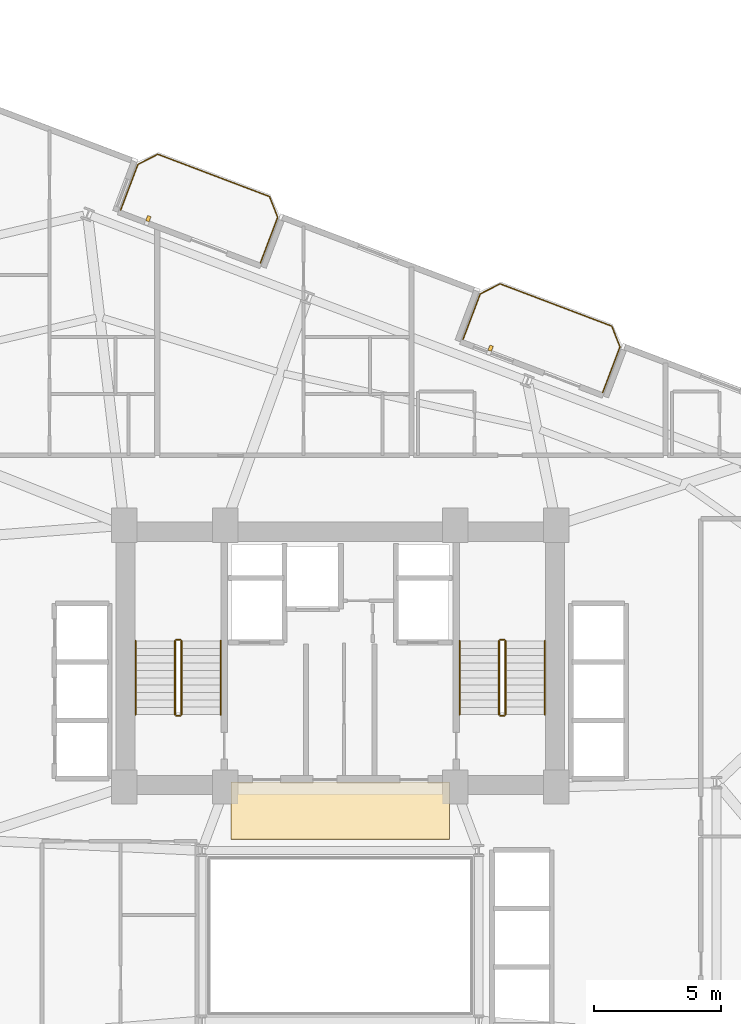
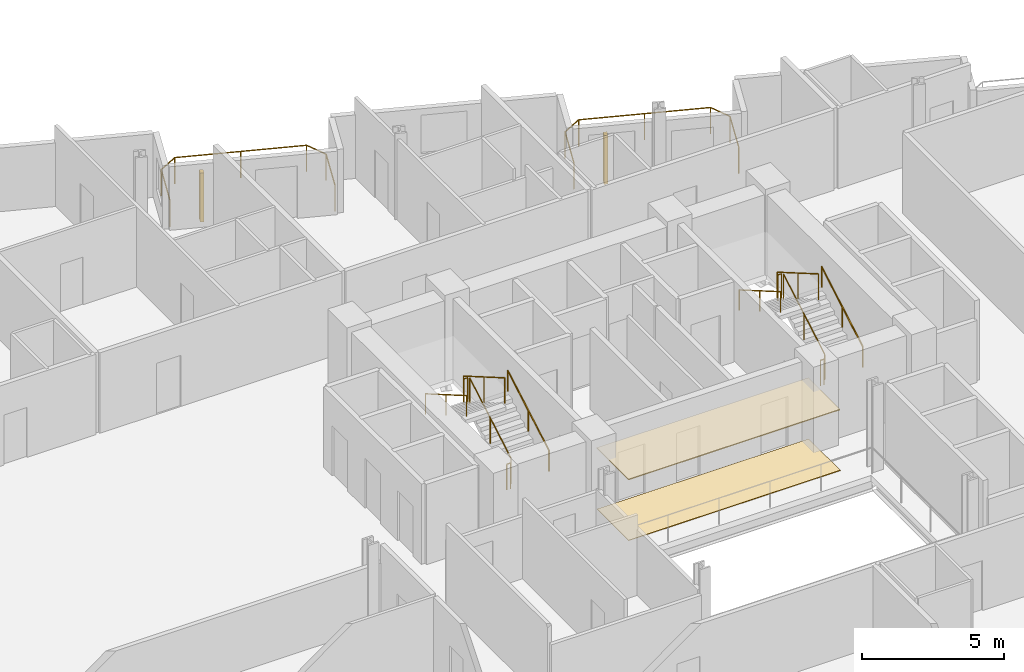
# One storey, part 23 of 24: 14 railings, 2 coverings, 2 shading devices.
"""IFC4 building model written with IfcOpenShell, lengths in metres."""

from ifc_helpers import new_model, si_unit, direction, frame, origin, origin_2d, place, context, subcontext, project, spatial, rectangle, circle, extrude, source, transform, mapped, material, layer, layer_set, type_object, element, save


model = new_model("IFC4")

# Units and contexts
model_context = context("Model", 3, precision=1e-05, world=origin(), true_north=direction((0.0, 1.0)))
body_context = subcontext(model_context, "Body", "Model", "MODEL_VIEW")
ifc_project = project(units=[si_unit("LENGTHUNIT", "METRE"), si_unit("AREAUNIT", "SQUARE_METRE"), si_unit("VOLUMEUNIT", "CUBIC_METRE"), si_unit("PLANEANGLEUNIT", "RADIAN"), si_unit("MASSUNIT", "GRAM", prefix="KILO")], contexts=[model_context])

# Site, building, storey
site_placement = place(None, origin())
site = spatial("IfcSite", under=ifc_project, at=site_placement, CompositionType="ELEMENT")
building_placement = place(site_placement, origin())
building = spatial("IfcBuilding", under=site, at=building_placement, Name="Varnelok Gate Tower", CompositionType="ELEMENT")
storey_placement = place(building_placement, frame((0.0, 0.0, 102.10009765625)))
storey = spatial("IfcBuildingStorey", under=building, at=storey_placement, Name="L25", CompositionType="ELEMENT", Elevation=102.10009765625)

# Railings
ifc_material_1 = material(Name="Low-E Laminated Double Glazing IGU", Category="glass")
railing_type_1 = type_object("IfcRailingType", Name="RL-BALC-1150", PredefinedType="BALUSTRADE", material=ifc_material_1)
railing_1_placement = place(storey_placement, frame((30.560302734375, 51.453125, 0.0)))
element("IfcRailing", 1, at=railing_1_placement, inside=storey, type_object=railing_type_1, Name="L25 North Terrace Balustrade 4", PredefinedType="BALUSTRADE", context=body_context, shape_type="SweptSolid", body=[
    extrude(circle(Radius=0.02392578125, at=origin_2d()), frame((0.0, 0.0, 1.1259765625), z_axis=(0.354006333352, 0.935243025073, 0.0), x_axis=(-0.935243025073, 0.354006333352, 0.0)), (0.0, 0.0, 1.0), 1.919921875),
    extrude(circle(Radius=0.02392578125, at=origin_2d()), frame((0.6796875, 1.795654296875, 1.1259765625), z_axis=(0.89078254773, 0.454429810487, 0.0), x_axis=(-0.454429810487, 0.89078254773, 0.0)), (0.0, 0.0, 1.0), 0.8779296875),
    extrude(circle(Radius=0.02392578125, at=origin_2d()), frame((1.461669921875, 2.194580078125, 1.1259765625), z_axis=(0.935223045203, -0.354059113314, 0.0), x_axis=(0.354059113314, 0.935223045203, 0.0)), (0.0, 0.0, 1.0), 4.699951171875),
    extrude(circle(Radius=0.02392578125, at=origin_2d()), frame((5.857177734375, 0.530517578125, 1.1259765625), z_axis=(0.366349384437, -0.930477365938, 0.0), x_axis=(0.930477365938, 0.366349384437, 0.0)), (0.0, 0.0, 1.0), 0.877685546875),
    extrude(circle(Radius=0.02392578125, at=origin_2d()), frame((6.1787109375, -0.2861328125, 1.1259765625), z_axis=(-0.354006333352, -0.935243025073, 0.0), x_axis=(0.935243025073, -0.354006333352, 0.0)), (0.0, 0.0, 1.0), 1.919921875),
    extrude(circle(Radius=0.02099609375, at=origin_2d()), origin(), (0.0, 0.0, 1.0), 1.101806640625),
    extrude(circle(Radius=0.02099609375, at=origin_2d()), frame((0.6796875, 1.795654296875, 0.0)), (0.0, 0.0, 1.0), 1.101806640625),
    extrude(circle(Radius=0.02099609375, at=origin_2d()), frame((1.461669921875, 2.194580078125, 0.0)), (0.0, 0.0, 1.0), 1.101806640625),
    extrude(circle(Radius=0.02099609375, at=origin_2d()), frame((3.659423828125, 1.362548828125, 0.0)), (0.0, 0.0, 1.0), 1.101806640625),
    extrude(circle(Radius=0.02099609375, at=origin_2d()), frame((5.857177734375, 0.530517578125, 0.0)), (0.0, 0.0, 1.0), 1.101806640625),
    extrude(circle(Radius=0.02099609375, at=origin_2d()), frame((6.1787109375, -0.2861328125, 0.0)), (0.0, 0.0, 1.0), 1.101806640625),
    extrude(circle(Radius=0.02099609375, at=origin_2d()), frame((5.4990234375, -2.081787109375, 0.0)), (0.0, 0.0, 1.0), 1.101806640625),
])
railing_2_placement = place(storey_placement, frame((44.02734375, 46.354736328125, 0.0)))
element("IfcRailing", 2, at=railing_2_placement, inside=storey, type_object=railing_type_1, Name="L25 North Terrace Balustrade 5", PredefinedType="BALUSTRADE", context=body_context, shape_type="SweptSolid", body=[
    extrude(circle(Radius=0.02392578125, at=origin_2d()), frame((0.0, 0.0, 1.1259765625), z_axis=(0.354117547856, 0.935200920819, 0.0), x_axis=(-0.935200920819, 0.354117547856, 0.0)), (0.0, 0.0, 1.0), 1.920166015625),
    extrude(circle(Radius=0.02392578125, at=origin_2d()), frame((0.679931640625, 1.795654296875, 1.1259765625), z_axis=(0.890725095116, 0.454542412686, 0.0), x_axis=(-0.454542412686, 0.890725095116, 0.0)), (0.0, 0.0, 1.0), 0.877685546875),
    extrude(circle(Radius=0.02392578125, at=origin_2d()), frame((1.461669921875, 2.194580078125, 1.1259765625), z_axis=(0.935223045203, -0.354059113314, 0.0), x_axis=(0.354059113314, 0.935223045203, 0.0)), (0.0, 0.0, 1.0), 4.699951171875),
    extrude(circle(Radius=0.02392578125, at=origin_2d()), frame((5.857177734375, 0.530517578125, 1.1259765625), z_axis=(0.366495340819, -0.93041988648, 0.0), x_axis=(0.93041988648, 0.366495340819, 0.0)), (0.0, 0.0, 1.0), 0.8779296875),
    extrude(circle(Radius=0.02392578125, at=origin_2d()), frame((6.178955078125, -0.286376953125, 1.1259765625), z_axis=(-0.354006333352, -0.935243025073, 0.0), x_axis=(0.935243025073, -0.354006333352, 0.0)), (0.0, 0.0, 1.0), 1.919921875),
    extrude(circle(Radius=0.02099609375, at=origin_2d()), origin(), (0.0, 0.0, 1.0), 1.101806640625),
    extrude(circle(Radius=0.02099609375, at=origin_2d()), frame((0.679931640625, 1.795654296875, 0.0)), (0.0, 0.0, 1.0), 1.101806640625),
    extrude(circle(Radius=0.02099609375, at=origin_2d()), frame((1.461669921875, 2.194580078125, 0.0)), (0.0, 0.0, 1.0), 1.101806640625),
    extrude(circle(Radius=0.02099609375, at=origin_2d()), frame((3.659423828125, 1.362548828125, 0.0)), (0.0, 0.0, 1.0), 1.101806640625),
    extrude(circle(Radius=0.02099609375, at=origin_2d()), frame((5.857177734375, 0.530517578125, 0.0)), (0.0, 0.0, 1.0), 1.101806640625),
    extrude(circle(Radius=0.02099609375, at=origin_2d()), frame((6.178955078125, -0.286376953125, 0.0)), (0.0, 0.0, 1.0), 1.101806640625),
    extrude(circle(Radius=0.02099609375, at=origin_2d()), frame((5.499267578125, -2.08203125, 0.0)), (0.0, 0.0, 1.0), 1.101806640625),
])
ifc_material_2 = material(Name="Brushed Stainless Steel AISI 316", Category="steel")
railing_type_2 = type_object("IfcRailingType", Name="RL-HANDRAIL-900", PredefinedType="HANDRAIL", material=ifc_material_2)
railing_3_placement = place(storey_placement, frame((34.5, 31.60009765625, 0.16796875)))
element("IfcRailing", 3, at=railing_3_placement, inside=storey, type_object=railing_type_2, Name="L25 ST-1 stair handrail 1", PredefinedType="HANDRAIL", context=body_context, shape_type="SweptSolid", body=[
    extrude(circle(Radius=0.02392578125, at=origin_2d()), frame((0.0, 0.0, 0.8759765625), z_axis=(0.0, 0.865038774852, 0.501705010941), x_axis=(-1.0, 0.0, 0.0)), (0.0, 0.0, 1.0), 3.352294921875),
    extrude(circle(Radius=0.02099609375, at=origin_2d()), origin(), (0.0, 0.0, 1.0), 0.851806640625),
    extrude(circle(Radius=0.02099609375, at=origin_2d()), frame((0.0, 1.449951171875, 0.8408203125)), (0.0, 0.0, 1.0), 0.851806640625),
    extrude(circle(Radius=0.02099609375, at=origin_2d()), frame((0.0, 2.89990234375, 1.681884765625)), (0.0, 0.0, 1.0), 0.851806640625),
])
railing_4_placement = place(storey_placement, frame((31.14990234375, 34.5, 2.01806640625)))
element("IfcRailing", 4, at=railing_4_placement, inside=storey, type_object=railing_type_2, Name="L25 ST-1 stair handrail 2", PredefinedType="HANDRAIL", context=body_context, shape_type="SweptSolid", body=[
    extrude(circle(Radius=0.02392578125, at=origin_2d()), frame((0.0, 0.0, 0.8759765625), z_axis=(0.0, -0.865038774852, 0.501705010941), x_axis=(1.0, 0.0, 0.0)), (0.0, 0.0, 1.0), 3.352294921875),
    extrude(circle(Radius=0.02099609375, at=origin_2d()), origin(), (0.0, 0.0, 1.0), 0.851806640625),
    extrude(circle(Radius=0.02099609375, at=origin_2d()), frame((0.0, -1.449951171875, 0.8408203125)), (0.0, 0.0, 1.0), 0.851806640625),
    extrude(circle(Radius=0.02099609375, at=origin_2d()), frame((0.0, -2.89990234375, 1.681884765625)), (0.0, 0.0, 1.0), 0.851806640625),
])
railing_5_placement = place(storey_placement, frame((47.25, 31.60009765625, 0.16796875)))
element("IfcRailing", 5, at=railing_5_placement, inside=storey, type_object=railing_type_2, Name="L25 ST-2 stair handrail 1", PredefinedType="HANDRAIL", context=body_context, shape_type="SweptSolid", body=[
    extrude(circle(Radius=0.02392578125, at=origin_2d()), frame((0.0, 0.0, 0.8759765625), z_axis=(0.0, 0.865038774852, 0.501705010941), x_axis=(-1.0, 0.0, 0.0)), (0.0, 0.0, 1.0), 3.352294921875),
    extrude(circle(Radius=0.02099609375, at=origin_2d()), origin(), (0.0, 0.0, 1.0), 0.851806640625),
    extrude(circle(Radius=0.02099609375, at=origin_2d()), frame((0.0, 1.449951171875, 0.8408203125)), (0.0, 0.0, 1.0), 0.851806640625),
    extrude(circle(Radius=0.02099609375, at=origin_2d()), frame((0.0, 2.89990234375, 1.681884765625)), (0.0, 0.0, 1.0), 0.851806640625),
])
railing_6_placement = place(storey_placement, frame((43.89990234375, 34.5, 2.01806640625)))
element("IfcRailing", 6, at=railing_6_placement, inside=storey, type_object=railing_type_2, Name="L25 ST-2 stair handrail 2", PredefinedType="HANDRAIL", context=body_context, shape_type="SweptSolid", body=[
    extrude(circle(Radius=0.02392578125, at=origin_2d()), frame((0.0, 0.0, 0.8759765625), z_axis=(0.0, -0.865038774852, 0.501705010941), x_axis=(1.0, 0.0, 0.0)), (0.0, 0.0, 1.0), 3.352294921875),
    extrude(circle(Radius=0.02099609375, at=origin_2d()), origin(), (0.0, 0.0, 1.0), 0.851806640625),
    extrude(circle(Radius=0.02099609375, at=origin_2d()), frame((0.0, -1.449951171875, 0.8408203125)), (0.0, 0.0, 1.0), 0.851806640625),
    extrude(circle(Radius=0.02099609375, at=origin_2d()), frame((0.0, -2.89990234375, 1.681884765625)), (0.0, 0.0, 1.0), 0.851806640625),
])
ifc_material_3 = material(Name="Galvanized Steel Grade S350GD", Category="steel")
railing_type_3 = type_object("IfcRailingType", Name="RL-STAIR-GUARD1120", PredefinedType="GUARDRAIL", material=ifc_material_3)
railing_7_placement = place(storey_placement, frame((32.949951171875, 31.60009765625, 0.16796875)))
element("IfcRailing", 7, at=railing_7_placement, inside=storey, type_object=railing_type_3, Name="L25 ST-1 stair guard 1", PredefinedType="GUARDRAIL", context=body_context, shape_type="SweptSolid", body=[
    extrude(circle(Radius=0.02392578125, at=origin_2d()), frame((0.0, 0.0, 1.09619140625), z_axis=(0.0, 0.865038774852, 0.501705010941), x_axis=(-1.0, 0.0, 0.0)), (0.0, 0.0, 1.0), 3.352294921875),
    extrude(circle(Radius=0.02099609375, at=origin_2d()), origin(), (0.0, 0.0, 1.0), 1.072021484375),
    extrude(circle(Radius=0.02099609375, at=origin_2d()), frame((0.0, 1.449951171875, 0.8408203125)), (0.0, 0.0, 1.0), 1.072021484375),
    extrude(circle(Radius=0.02099609375, at=origin_2d()), frame((0.0, 2.89990234375, 1.681884765625)), (0.0, 0.0, 1.0), 1.072021484375),
])
railing_8_placement = place(storey_placement, frame((32.89990234375, 34.550048828125, 1.849853515625)))
element("IfcRailing", 8, at=railing_8_placement, inside=storey, type_object=railing_type_3, Name="L25 ST-1 stair guard 2", PredefinedType="GUARDRAIL", context=body_context, shape_type="SweptSolid", body=[
    extrude(circle(Radius=0.02392578125, at=origin_2d()), frame((0.0, 0.0, 1.09619140625), z_axis=(-1.0, 0.0, 0.0), x_axis=(0.0, -1.0, 0.0)), (0.0, 0.0, 1.0), 0.14990234375),
    extrude(circle(Radius=0.02099609375, at=origin_2d()), origin(), (0.0, 0.0, 1.0), 1.072021484375),
    extrude(circle(Radius=0.02099609375, at=origin_2d()), frame((-0.14990234375, 0.0, 0.0)), (0.0, 0.0, 1.0), 1.072021484375),
])
railing_9_placement = place(storey_placement, frame((32.699951171875, 34.5, 2.01806640625)))
element("IfcRailing", 9, at=railing_9_placement, inside=storey, type_object=railing_type_3, Name="L25 ST-1 stair guard 3", PredefinedType="GUARDRAIL", context=body_context, shape_type="SweptSolid", body=[
    extrude(circle(Radius=0.02392578125, at=origin_2d()), frame((0.0, 0.0, 1.09619140625), z_axis=(0.0, -0.865038774852, 0.501705010941), x_axis=(1.0, 0.0, 0.0)), (0.0, 0.0, 1.0), 3.352294921875),
    extrude(circle(Radius=0.02099609375, at=origin_2d()), origin(), (0.0, 0.0, 1.0), 1.072021484375),
    extrude(circle(Radius=0.02099609375, at=origin_2d()), frame((0.0, -1.449951171875, 0.8408203125)), (0.0, 0.0, 1.0), 1.072021484375),
    extrude(circle(Radius=0.02099609375, at=origin_2d()), frame((0.0, -2.89990234375, 1.681884765625)), (0.0, 0.0, 1.0), 1.072021484375),
])
railing_10_placement = place(storey_placement, frame((32.89990234375, 31.550048828125, 0.0)))
element("IfcRailing", 10, at=railing_10_placement, inside=storey, type_object=railing_type_3, Name="L25 ST-1 stair guard 4", PredefinedType="GUARDRAIL", context=body_context, shape_type="SweptSolid", body=[
    extrude(circle(Radius=0.02392578125, at=origin_2d()), frame((0.0, 0.0, 1.09619140625), z_axis=(-1.0, 0.0, 0.0), x_axis=(0.0, -1.0, 0.0)), (0.0, 0.0, 1.0), 0.14990234375),
    extrude(circle(Radius=0.02099609375, at=origin_2d()), origin(), (0.0, 0.0, 1.0), 1.072021484375),
    extrude(circle(Radius=0.02099609375, at=origin_2d()), frame((-0.14990234375, 0.0, 0.0)), (0.0, 0.0, 1.0), 1.072021484375),
])
railing_11_placement = place(storey_placement, frame((45.699951171875, 31.60009765625, 0.16796875)))
element("IfcRailing", 11, at=railing_11_placement, inside=storey, type_object=railing_type_3, Name="L25 ST-2 stair guard 1", PredefinedType="GUARDRAIL", context=body_context, shape_type="SweptSolid", body=[
    extrude(circle(Radius=0.02392578125, at=origin_2d()), frame((0.0, 0.0, 1.09619140625), z_axis=(0.0, 0.865038774852, 0.501705010941), x_axis=(-1.0, 0.0, 0.0)), (0.0, 0.0, 1.0), 3.352294921875),
    extrude(circle(Radius=0.02099609375, at=origin_2d()), origin(), (0.0, 0.0, 1.0), 1.072021484375),
    extrude(circle(Radius=0.02099609375, at=origin_2d()), frame((0.0, 1.449951171875, 0.8408203125)), (0.0, 0.0, 1.0), 1.072021484375),
    extrude(circle(Radius=0.02099609375, at=origin_2d()), frame((0.0, 2.89990234375, 1.681884765625)), (0.0, 0.0, 1.0), 1.072021484375),
])
railing_12_placement = place(storey_placement, frame((45.64990234375, 34.550048828125, 1.849853515625)))
element("IfcRailing", 12, at=railing_12_placement, inside=storey, type_object=railing_type_3, Name="L25 ST-2 stair guard 2", PredefinedType="GUARDRAIL", context=body_context, shape_type="SweptSolid", body=[
    extrude(circle(Radius=0.02392578125, at=origin_2d()), frame((0.0, 0.0, 1.09619140625), z_axis=(-1.0, 0.0, 0.0), x_axis=(0.0, -1.0, 0.0)), (0.0, 0.0, 1.0), 0.14990234375),
    extrude(circle(Radius=0.02099609375, at=origin_2d()), origin(), (0.0, 0.0, 1.0), 1.072021484375),
    extrude(circle(Radius=0.02099609375, at=origin_2d()), frame((-0.14990234375, 0.0, 0.0)), (0.0, 0.0, 1.0), 1.072021484375),
])
railing_13_placement = place(storey_placement, frame((45.449951171875, 34.5, 2.01806640625)))
element("IfcRailing", 13, at=railing_13_placement, inside=storey, type_object=railing_type_3, Name="L25 ST-2 stair guard 3", PredefinedType="GUARDRAIL", context=body_context, shape_type="SweptSolid", body=[
    extrude(circle(Radius=0.02392578125, at=origin_2d()), frame((0.0, 0.0, 1.09619140625), z_axis=(0.0, -0.865038774852, 0.501705010941), x_axis=(1.0, 0.0, 0.0)), (0.0, 0.0, 1.0), 3.352294921875),
    extrude(circle(Radius=0.02099609375, at=origin_2d()), origin(), (0.0, 0.0, 1.0), 1.072021484375),
    extrude(circle(Radius=0.02099609375, at=origin_2d()), frame((0.0, -1.449951171875, 0.8408203125)), (0.0, 0.0, 1.0), 1.072021484375),
    extrude(circle(Radius=0.02099609375, at=origin_2d()), frame((0.0, -2.89990234375, 1.681884765625)), (0.0, 0.0, 1.0), 1.072021484375),
])
railing_14_placement = place(storey_placement, frame((45.64990234375, 31.550048828125, 0.0)))
element("IfcRailing", 14, at=railing_14_placement, inside=storey, type_object=railing_type_3, Name="L25 ST-2 stair guard 4", PredefinedType="GUARDRAIL", context=body_context, shape_type="SweptSolid", body=[
    extrude(circle(Radius=0.02392578125, at=origin_2d()), frame((0.0, 0.0, 1.09619140625), z_axis=(-1.0, 0.0, 0.0), x_axis=(0.0, -1.0, 0.0)), (0.0, 0.0, 1.0), 0.14990234375),
    extrude(circle(Radius=0.02099609375, at=origin_2d()), origin(), (0.0, 0.0, 1.0), 1.072021484375),
    extrude(circle(Radius=0.02099609375, at=origin_2d()), frame((-0.14990234375, 0.0, 0.0)), (0.0, 0.0, 1.0), 1.072021484375),
])

# Shading devices
ifc_material_4 = material(Name="Glazed Architectural Terracotta Ceramic", Category="masonry")
shading_device_type = type_object("IfcShadingDeviceType", Name="SHD-TERRA-FIN", PredefinedType="USERDEFINED", material=ifc_material_4)
shared_shape_1 = source(origin(), body_context, "Body", "SweptSolid", [
    extrude(rectangle(XDim=0.139892578125, YDim=0.219970703125, at=origin_2d()), origin(), (0.0, 0.0, 1.0), 2.10009765625),
])
for number, where, z_axis, x_axis, name in (
    (15, (31.651123046875, 51.114990234375, 0.099853515625), (0.0, 0.0, 1.0), (0.935221751401, -0.354062530786, 0.0), "L25 Terracotta Ceramic Baguette Sunscreen 4.1"),
    (16, (45.118408203125, 46.0166015625, 0.099853515625), (0.0, 0.0, 1.0), (0.935221751401, -0.354062530786, 0.0), "L25 Terracotta Ceramic Baguette Sunscreen 5.1"),
):
    element("IfcShadingDevice", number, at=place(storey_placement, frame(where, z_axis=z_axis, x_axis=x_axis)), inside=storey, type_object=shading_device_type, Name=name, ObjectType="BAGUETTE", PredefinedType="USERDEFINED", context=body_context, shape_type="MappedRepresentation", body=[
        mapped(shared_shape_1, transform((0.0, 0.0, 0.0), scale=1.0)),
    ])

# Coverings
ifc_material_5 = material(Name="Honed Travertine Stone Flooring", Category="masonry")
ifc_layer_1 = layer(ifc_material_5, 0.02490234375)
ifc_layer_set_1 = layer_set([ifc_layer_1], Name="Honed Travertine Stone Flooring")
covering_type_1 = type_object("IfcCoveringType", Name="COV-FLOR-STONE", PredefinedType="FLOORING", material=ifc_layer_set_1)
shared_shape_2 = source(origin(), body_context, "Body", "SweptSolid", [
    extrude(rectangle(XDim=8.60009765625, YDim=2.219970703125, at=origin_2d()), origin(), (0.0, 0.0, 1.0), 0.02490234375),
])
covering_1_placement = place(storey_placement, frame((39.199951171875, 27.800048828125, 0.0), z_axis=(0.0, 0.0, 1.0), x_axis=(1.0, 0.0, 0.0)))
element("IfcCovering", 17, at=covering_1_placement, inside=storey, type_object=covering_type_1, Name="L25 Core Gallery Stone Flooring", PredefinedType="FLOORING", context=body_context, shape_type="MappedRepresentation", body=[
    mapped(shared_shape_2, transform((0.0, 0.0, 0.0), scale=1.0)),
])
ifc_material_6 = material(Name="Mineral Fiber Acoustic Ceiling Tile")
ifc_layer_2 = layer(ifc_material_6, 0.0400390625)
ifc_layer_set_2 = layer_set([ifc_layer_2], Name="Mineral Fiber Acoustic Ceiling Tile")
covering_type_2 = type_object("IfcCoveringType", Name="COV-CEIL-ACOUST", PredefinedType="CEILING", material=ifc_layer_set_2)
shared_shape_3 = source(origin(), body_context, "Body", "SweptSolid", [
    extrude(rectangle(XDim=8.60009765625, YDim=2.239990234375, at=origin_2d()), origin(), (0.0, 0.0, 1.0), 0.0400390625),
])
covering_2_placement = place(storey_placement, frame((39.199951171875, 27.820068359375, 2.599853515625), z_axis=(0.0, 0.0, 1.0), x_axis=(1.0, 0.0, 0.0)))
element("IfcCovering", 18, at=covering_2_placement, inside=storey, type_object=covering_type_2, Name="L25 Core Gallery Acoustic Ceiling", PredefinedType="CEILING", context=body_context, shape_type="MappedRepresentation", body=[
    mapped(shared_shape_3, transform((0.0, 0.0, 0.0), scale=1.0)),
])

save(model, "model.ifc")
